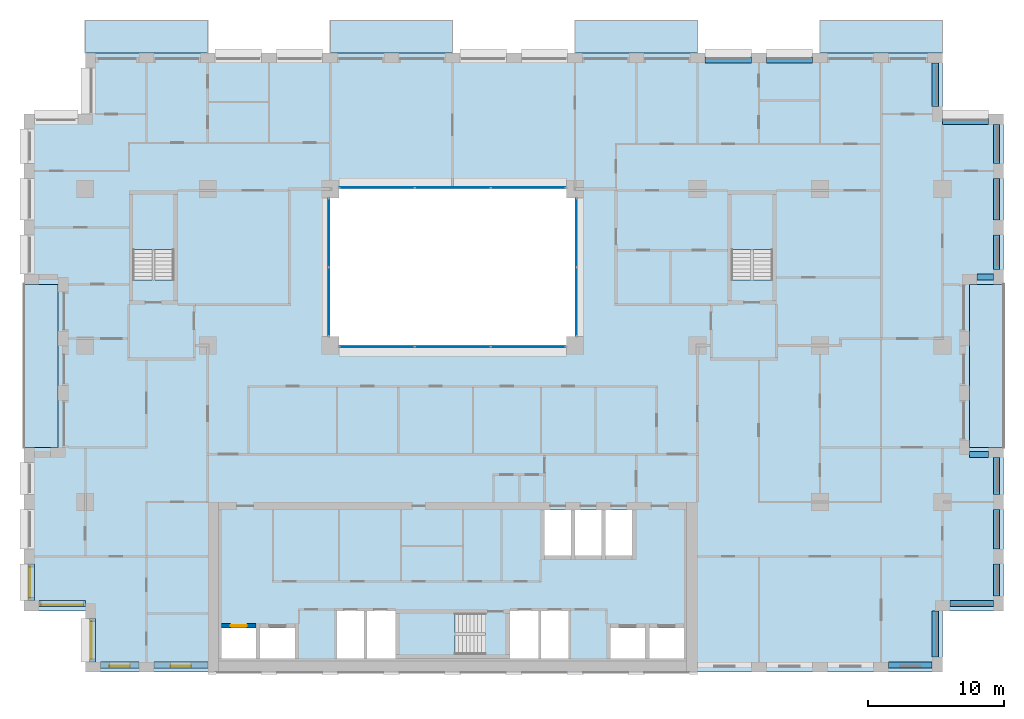
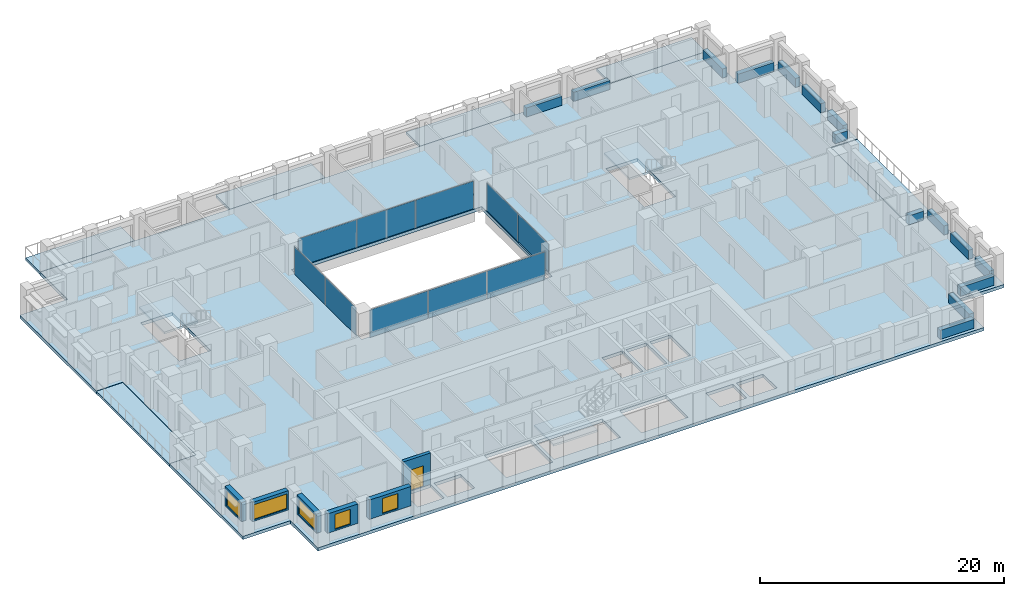
# One storey, part 7 of 16: 15 beams, 10 plates, 10 slabs, 6 walls, 5 windows, 1 door, 6 openings, 7 elements without a shape of their own.
"""IFC4 building model written with IfcOpenShell, lengths in metres."""

from ifc_helpers import new_model, si_unit, direction, frame, frame_2d, origin, origin_2d, place, context, subcontext, project, spatial, polyline, rectangle, outline, extrude, material, layer, layer_set, material_profile, profile_set, type_object, element, fill, aggregate, save


model = new_model("IFC4")

# Units and contexts
model_context = context("Model", 3, precision=1e-05, world=origin(), true_north=direction((0.0, 1.0)))
body_context = subcontext(model_context, "Body", "Model", "MODEL_VIEW")
ifc_project = project(units=[si_unit("LENGTHUNIT", "METRE"), si_unit("AREAUNIT", "SQUARE_METRE"), si_unit("VOLUMEUNIT", "CUBIC_METRE"), si_unit("PLANEANGLEUNIT", "RADIAN"), si_unit("MASSUNIT", "GRAM", prefix="KILO")], contexts=[model_context])

# Site, building, storey
site_placement = place(None, origin())
site = spatial("IfcSite", under=ifc_project, at=site_placement, CompositionType="ELEMENT")
building_placement = place(site_placement, origin())
building = spatial("IfcBuilding", under=site, at=building_placement, Name="Brigalow Station Residences", CompositionType="ELEMENT")
storey_placement = place(building_placement, frame((0.0, 0.0, 86.699951171875)))
storey = spatial("IfcBuildingStorey", under=building, at=storey_placement, Name="L24", CompositionType="ELEMENT", Elevation=86.699951171875)

# Beams
ifc_material_1 = material(Name="Concrete C65", Category="concrete")
ifc_material_profile = material_profile(ifc_material_1, rectangle(XDim=0.449951171875, YDim=0.89990234375, at=origin_2d()), Name="RC450x900")
ifc_profile_set = profile_set([ifc_material_profile], Name="Concrete C65")
beam_type = type_object("IfcBeamType", Name="SPANDREL BEAM 450x900 C65", PredefinedType="SPANDREL", material=ifc_profile_set)
beam_1_placement = place(storey_placement, frame((68.050048828125, 0.52490234375, 0.449951171875), z_axis=(1.0, 0.0, 0.0), x_axis=(0.0, 1.0, 0.0)))
element("IfcBeam", 1, at=beam_1_placement, inside=storey, type_object=beam_type, Name="L24/spandrel/W-L24-7", PredefinedType="SPANDREL", context=body_context, shape_type="SweptSolid", body=[
    extrude(rectangle(XDim=0.449951171875, YDim=0.89990234375, at=origin_2d()), origin(), (0.0, 0.0, 1.0), 3.199951171875),
])
beam_2_placement = place(storey_placement, frame((71.47509765625, 1.10009765625, 0.449951171875), z_axis=(0.0, 1.0, 0.0), x_axis=(-1.0, 0.0, 0.0)))
element("IfcBeam", 2, at=beam_2_placement, inside=storey, type_object=beam_type, Name="L24/spandrel/W-L24-8", PredefinedType="SPANDREL", context=body_context, shape_type="SweptSolid", body=[
    extrude(rectangle(XDim=0.449951171875, YDim=0.89990234375, at=origin_2d()), origin(), (0.0, 0.0, 1.0), 3.39990234375),
])
beam_3_placement = place(storey_placement, frame((72.550048828125, 5.02490234375, 0.449951171875), z_axis=(1.0, 0.0, 0.0), x_axis=(0.0, 1.0, 0.0)))
element("IfcBeam", 3, at=beam_3_placement, inside=storey, type_object=beam_type, Name="L24/spandrel/W-L24-9", PredefinedType="SPANDREL", context=body_context, shape_type="SweptSolid", body=[
    extrude(rectangle(XDim=0.449951171875, YDim=0.89990234375, at=origin_2d()), origin(), (0.0, 0.0, 1.0), 3.199951171875),
])
beam_4_placement = place(storey_placement, frame((75.97509765625, 5.60009765625, 0.449951171875), z_axis=(0.0, 1.0, 0.0), x_axis=(-1.0, 0.0, 0.0)))
element("IfcBeam", 4, at=beam_4_placement, inside=storey, type_object=beam_type, Name="L24/spandrel/W-L24-10", PredefinedType="SPANDREL", context=body_context, shape_type="SweptSolid", body=[
    extrude(rectangle(XDim=0.449951171875, YDim=0.89990234375, at=origin_2d()), origin(), (0.0, 0.0, 1.0), 2.349853515625),
])
beam_5_placement = place(storey_placement, frame((75.97509765625, 9.050048828125, 0.449951171875), z_axis=(0.0, 1.0, 0.0), x_axis=(-1.0, 0.0, 0.0)))
element("IfcBeam", 5, at=beam_5_placement, inside=storey, type_object=beam_type, Name="L24/spandrel/W-L24-11", PredefinedType="SPANDREL", context=body_context, shape_type="SweptSolid", body=[
    extrude(rectangle(XDim=0.449951171875, YDim=0.89990234375, at=origin_2d()), origin(), (0.0, 0.0, 1.0), 2.89990234375),
])
beam_6_placement = place(storey_placement, frame((75.97509765625, 13.050048828125, 0.449951171875), z_axis=(0.0, 1.0, 0.0), x_axis=(-1.0, 0.0, 0.0)))
element("IfcBeam", 6, at=beam_6_placement, inside=storey, type_object=beam_type, Name="L24/spandrel/W-L24-12", PredefinedType="SPANDREL", context=body_context, shape_type="SweptSolid", body=[
    extrude(rectangle(XDim=0.449951171875, YDim=0.89990234375, at=origin_2d()), origin(), (0.0, 0.0, 1.0), 2.699951171875),
])
beam_7_placement = place(storey_placement, frame((75.39990234375, 15.97509765625, 0.449951171875), z_axis=(-1.0, 0.0, 0.0), x_axis=(0.0, -1.0, 0.0)))
element("IfcBeam", 7, at=beam_7_placement, inside=storey, type_object=beam_type, Name="L24/spandrel/W-L24-13", PredefinedType="SPANDREL", context=body_context, shape_type="SweptSolid", body=[
    extrude(rectangle(XDim=0.449951171875, YDim=0.89990234375, at=origin_2d()), origin(), (0.0, 0.0, 1.0), 1.39990234375),
])
beam_8_placement = place(storey_placement, frame((74.550048828125, 29.02490234375, 0.449951171875), z_axis=(1.0, 0.0, 0.0), x_axis=(0.0, 1.0, 0.0)))
element("IfcBeam", 8, at=beam_8_placement, inside=storey, type_object=beam_type, Name="L24/spandrel/W-L24-17", PredefinedType="SPANDREL", context=body_context, shape_type="SweptSolid", body=[
    extrude(rectangle(XDim=0.449951171875, YDim=0.89990234375, at=origin_2d()), origin(), (0.0, 0.0, 1.0), 1.199951171875),
])
beam_9_placement = place(storey_placement, frame((75.97509765625, 29.60009765625, 0.449951171875), z_axis=(0.0, 1.0, 0.0), x_axis=(-1.0, 0.0, 0.0)))
element("IfcBeam", 9, at=beam_9_placement, inside=storey, type_object=beam_type, Name="L24/spandrel/W-L24-18", PredefinedType="SPANDREL", context=body_context, shape_type="SweptSolid", body=[
    extrude(rectangle(XDim=0.449951171875, YDim=0.89990234375, at=origin_2d()), origin(), (0.0, 0.0, 1.0), 2.516845703125),
])
beam_10_placement = place(storey_placement, frame((75.97509765625, 33.217041015625, 0.449951171875), z_axis=(0.0, 1.0, 0.0), x_axis=(-1.0, 0.0, 0.0)))
element("IfcBeam", 10, at=beam_10_placement, inside=storey, type_object=beam_type, Name="L24/spandrel/W-L24-19", PredefinedType="SPANDREL", context=body_context, shape_type="SweptSolid", body=[
    extrude(rectangle(XDim=0.449951171875, YDim=0.89990234375, at=origin_2d()), origin(), (0.0, 0.0, 1.0), 3.06591796875),
])
beam_11_placement = place(storey_placement, frame((75.97509765625, 37.383056640625, 0.449951171875), z_axis=(0.0, 1.0, 0.0), x_axis=(-1.0, 0.0, 0.0)))
element("IfcBeam", 11, at=beam_11_placement, inside=storey, type_object=beam_type, Name="L24/spandrel/W-L24-20", PredefinedType="SPANDREL", context=body_context, shape_type="SweptSolid", body=[
    extrude(rectangle(XDim=0.449951171875, YDim=0.89990234375, at=origin_2d()), origin(), (0.0, 0.0, 1.0), 2.866943359375),
])
beam_12_placement = place(storey_placement, frame((75.39990234375, 40.47509765625, 0.449951171875), z_axis=(-1.0, 0.0, 0.0), x_axis=(0.0, -1.0, 0.0)))
element("IfcBeam", 12, at=beam_12_placement, inside=storey, type_object=beam_type, Name="L24/spandrel/W-L24-21", PredefinedType="SPANDREL", context=body_context, shape_type="SweptSolid", body=[
    extrude(rectangle(XDim=0.449951171875, YDim=0.89990234375, at=origin_2d()), origin(), (0.0, 0.0, 1.0), 3.39990234375),
])
beam_13_placement = place(storey_placement, frame((71.47509765625, 41.550048828125, 0.449951171875), z_axis=(0.0, 1.0, 0.0), x_axis=(-1.0, 0.0, 0.0)))
element("IfcBeam", 13, at=beam_13_placement, inside=storey, type_object=beam_type, Name="L24/spandrel/W-L24-22", PredefinedType="SPANDREL", context=body_context, shape_type="SweptSolid", body=[
    extrude(rectangle(XDim=0.449951171875, YDim=0.89990234375, at=origin_2d()), origin(), (0.0, 0.0, 1.0), 3.199951171875),
])
for number, where, z_axis, x_axis, name in (
    (14, (62.449951171875, 44.97509765625, 0.449951171875), (-1.0, 0.0, 0.0), (0.0, -1.0, 0.0), "L24/spandrel/W-L24-25"),
    (15, (57.949951171875, 44.97509765625, 0.449951171875), (-1.0, 0.0, 0.0), (0.0, -1.0, 0.0), "L24/spandrel/W-L24-26"),
):
    element("IfcBeam", number, at=place(storey_placement, frame(where, z_axis=z_axis, x_axis=x_axis)), inside=storey, type_object=beam_type, Name=name, PredefinedType="SPANDREL", context=body_context, shape_type="SweptSolid", body=[
        extrude(rectangle(XDim=0.449951171875, YDim=0.89990234375, at=origin_2d()), origin(), (0.0, 0.0, 1.0), 3.39990234375),
    ])

# Curtain wall, plates
ifc_material_2 = material(Name="Aluminium", Category="aluminium")
ifc_layer_1 = layer(ifc_material_2, 0.14990234375)
ifc_layer_set_1 = layer_set([ifc_layer_1], Name="ATRIUM FIRE-RATED GLAZING CURTAIN WALL")
curtain_wall_type = type_object("IfcCurtainWallType", Name="ATRIUM FIRE-RATED GLAZING CURTAIN WALL", PredefinedType="NOTDEFINED", material=ifc_layer_set_1)
curtain_wall_1_placement = place(storey_placement, origin())
curtain_wall_1 = element("IfcCurtainWall", 16, at=curtain_wall_1_placement, inside=storey, type_object=curtain_wall_type, Name="L24/cw/atrium-S", PredefinedType="NOTDEFINED")
ifc_material_3 = material(Name="Fire-resisting laminated glazing, FRL -/60/-", Category="glass")
ifc_layer_2 = layer(ifc_material_3, 0.031982421875)
ifc_layer_set_2 = layer_set([ifc_layer_2], Name="ATRIUM FIRE-RATED GLAZING PANEL 32")
plate_type = type_object("IfcPlateType", Name="ATRIUM FIRE-RATED GLAZING PANEL 32", PredefinedType="CURTAIN_PANEL", material=ifc_layer_set_2)
plate_1_placement = place(storey_placement, frame((30.4482421875, 23.89990234375, 0.0), z_axis=(0.0, 0.0, 1.0), x_axis=(1.0, 0.0, 0.0)))
plate_1 = element("IfcPlate", 17, at=plate_1_placement, type_object=plate_type, Name="L24/cw/atrium-S/P00-00", PredefinedType="CURTAIN_PANEL", context=body_context, shape_type="SweptSolid", body=[
    extrude(rectangle(XDim=5.476806640625, YDim=0.031982421875, at=origin_2d()), origin(), (0.0, 0.0, 1.0), 2.77001953125),
])
plate_2_placement = place(storey_placement, frame((36.0, 23.89990234375, 0.0), z_axis=(0.0, 0.0, 1.0), x_axis=(1.0, 0.0, 0.0)))
plate_2 = element("IfcPlate", 18, at=plate_2_placement, type_object=plate_type, Name="L24/cw/atrium-S/P01-00", PredefinedType="CURTAIN_PANEL", context=body_context, shape_type="SweptSolid", body=[
    extrude(rectangle(XDim=5.506591796875, YDim=0.031982421875, at=origin_2d()), origin(), (0.0, 0.0, 1.0), 2.77001953125),
])
plate_3_placement = place(storey_placement, frame((41.5517578125, 23.89990234375, 0.0), z_axis=(0.0, 0.0, 1.0), x_axis=(1.0, 0.0, 0.0)))
plate_3 = element("IfcPlate", 19, at=plate_3_placement, type_object=plate_type, Name="L24/cw/atrium-S/P02-00", PredefinedType="CURTAIN_PANEL", context=body_context, shape_type="SweptSolid", body=[
    extrude(rectangle(XDim=5.476806640625, YDim=0.031982421875, at=origin_2d()), origin(), (0.0, 0.0, 1.0), 2.77001953125),
])
aggregate(curtain_wall_1, [plate_1, plate_2, plate_3])

curtain_wall_2_placement = place(storey_placement, origin())
curtain_wall_2 = element("IfcCurtainWall", 20, at=curtain_wall_2_placement, inside=storey, type_object=curtain_wall_type, Name="L24/cw/atrium-E", PredefinedType="NOTDEFINED")
plate_4_placement = place(storey_placement, frame((45.10009765625, 27.215087890625, 0.0), z_axis=(0.0, 0.0, 1.0), x_axis=(0.0, 1.0, 0.0)))
plate_4 = element("IfcPlate", 21, at=plate_4_placement, type_object=plate_type, Name="L24/cw/atrium-E/P00-00", PredefinedType="CURTAIN_PANEL", context=body_context, shape_type="SweptSolid", body=[
    extrude(rectangle(XDim=5.010009765625, YDim=0.031982421875, at=origin_2d()), origin(), (0.0, 0.0, 1.0), 2.77001953125),
])
plate_5_placement = place(storey_placement, frame((45.10009765625, 32.284912109375, 0.0), z_axis=(0.0, 0.0, 1.0), x_axis=(0.0, 1.0, 0.0)))
plate_5 = element("IfcPlate", 22, at=plate_5_placement, type_object=plate_type, Name="L24/cw/atrium-E/P01-00", PredefinedType="CURTAIN_PANEL", context=body_context, shape_type="SweptSolid", body=[
    extrude(rectangle(XDim=5.010009765625, YDim=0.031982421875, at=origin_2d()), origin(), (0.0, 0.0, 1.0), 2.77001953125),
])
aggregate(curtain_wall_2, [plate_4, plate_5])

curtain_wall_3_placement = place(storey_placement, origin())
curtain_wall_3 = element("IfcCurtainWall", 23, at=curtain_wall_3_placement, inside=storey, type_object=curtain_wall_type, Name="L24/cw/atrium-N", PredefinedType="NOTDEFINED")
plate_6_placement = place(storey_placement, frame((41.5517578125, 35.60009765625, 0.0), z_axis=(0.0, 0.0, 1.0), x_axis=(-1.0, 0.0, 0.0)))
plate_6 = element("IfcPlate", 24, at=plate_6_placement, type_object=plate_type, Name="L24/cw/atrium-N/P00-00", PredefinedType="CURTAIN_PANEL", context=body_context, shape_type="SweptSolid", body=[
    extrude(rectangle(XDim=5.476806640625, YDim=0.031982421875, at=origin_2d()), origin(), (0.0, 0.0, 1.0), 2.77001953125),
])
plate_7_placement = place(storey_placement, frame((36.0, 35.60009765625, 0.0), z_axis=(0.0, 0.0, 1.0), x_axis=(-1.0, 0.0, 0.0)))
plate_7 = element("IfcPlate", 25, at=plate_7_placement, type_object=plate_type, Name="L24/cw/atrium-N/P01-00", PredefinedType="CURTAIN_PANEL", context=body_context, shape_type="SweptSolid", body=[
    extrude(rectangle(XDim=5.506591796875, YDim=0.031982421875, at=origin_2d()), origin(), (0.0, 0.0, 1.0), 2.77001953125),
])
plate_8_placement = place(storey_placement, frame((30.4482421875, 35.60009765625, 0.0), z_axis=(0.0, 0.0, 1.0), x_axis=(-1.0, 0.0, 0.0)))
plate_8 = element("IfcPlate", 26, at=plate_8_placement, type_object=plate_type, Name="L24/cw/atrium-N/P02-00", PredefinedType="CURTAIN_PANEL", context=body_context, shape_type="SweptSolid", body=[
    extrude(rectangle(XDim=5.476806640625, YDim=0.031982421875, at=origin_2d()), origin(), (0.0, 0.0, 1.0), 2.77001953125),
])
aggregate(curtain_wall_3, [plate_6, plate_7, plate_8])

curtain_wall_4_placement = place(storey_placement, origin())
curtain_wall_4 = element("IfcCurtainWall", 27, at=curtain_wall_4_placement, inside=storey, type_object=curtain_wall_type, Name="L24/cw/atrium-W", PredefinedType="NOTDEFINED")
plate_9_placement = place(storey_placement, frame((26.89990234375, 32.284912109375, 0.0), z_axis=(0.0, 0.0, 1.0), x_axis=(0.0, -1.0, 0.0)))
plate_9 = element("IfcPlate", 28, at=plate_9_placement, type_object=plate_type, Name="L24/cw/atrium-W/P00-00", PredefinedType="CURTAIN_PANEL", context=body_context, shape_type="SweptSolid", body=[
    extrude(rectangle(XDim=5.010009765625, YDim=0.031982421875, at=origin_2d()), origin(), (0.0, 0.0, 1.0), 2.77001953125),
])
plate_10_placement = place(storey_placement, frame((26.89990234375, 27.215087890625, 0.0), z_axis=(0.0, 0.0, 1.0), x_axis=(0.0, -1.0, 0.0)))
plate_10 = element("IfcPlate", 29, at=plate_10_placement, type_object=plate_type, Name="L24/cw/atrium-W/P01-00", PredefinedType="CURTAIN_PANEL", context=body_context, shape_type="SweptSolid", body=[
    extrude(rectangle(XDim=5.010009765625, YDim=0.031982421875, at=origin_2d()), origin(), (0.0, 0.0, 1.0), 2.77001953125),
])
aggregate(curtain_wall_4, [plate_9, plate_10])

# Slabs
ifc_material_4 = material(Name="Concrete C50 precast", Category="concrete")
ifc_layer_3 = layer(ifc_material_4, 0.25)
ifc_layer_set_3 = layer_set([ifc_layer_3], Name="BALCONY SLAB 250")
slab_type_1 = type_object("IfcSlabType", Name="BALCONY SLAB 250", PredefinedType="USERDEFINED", material=ifc_layer_set_3)
slab_1_placement = place(storey_placement, frame((0.0, 0.0, -0.2900390625)))
element("IfcSlab", 30, at=slab_1_placement, inside=storey, type_object=slab_type_1, Name="L24/balcony/1", ObjectType="BALCONY", PredefinedType="USERDEFINED", context=body_context, shape_type="SweptSolid", body=[
    extrude(outline(polyline([(74.0, 16.5), (76.5, 16.5), (76.5, 28.5), (74.0, 28.5), (74.0, 16.5)])), origin(), (0.0, 0.0, 1.0), 0.25),
])
slab_2_placement = place(storey_placement, frame((0.0, 0.0, -0.2900390625)))
element("IfcSlab", 31, at=slab_2_placement, inside=storey, type_object=slab_type_1, Name="L24/balcony/2", ObjectType="BALCONY", PredefinedType="USERDEFINED", context=body_context, shape_type="SweptSolid", body=[
    extrude(outline(polyline([(72.0, 45.5), (72.0, 47.89990234375), (63.0, 47.89990234375), (63.0, 45.5), (72.0, 45.5)])), origin(), (0.0, 0.0, 1.0), 0.25),
])
slab_3_placement = place(storey_placement, frame((0.0, 0.0, -0.2900390625)))
element("IfcSlab", 32, at=slab_3_placement, inside=storey, type_object=slab_type_1, Name="L24/balcony/3", ObjectType="BALCONY", PredefinedType="USERDEFINED", context=body_context, shape_type="SweptSolid", body=[
    extrude(outline(polyline([(54.0, 45.5), (54.0, 47.89990234375), (45.0, 47.89990234375), (45.0, 45.5), (54.0, 45.5)])), origin(), (0.0, 0.0, 1.0), 0.25),
])
slab_4_placement = place(storey_placement, frame((0.0, 0.0, -0.2900390625)))
element("IfcSlab", 33, at=slab_4_placement, inside=storey, type_object=slab_type_1, Name="L24/balcony/4", ObjectType="BALCONY", PredefinedType="USERDEFINED", context=body_context, shape_type="SweptSolid", body=[
    extrude(outline(polyline([(36.0, 45.5), (36.0, 47.89990234375), (27.0, 47.89990234375), (27.0, 45.5), (36.0, 45.5)])), origin(), (0.0, 0.0, 1.0), 0.25),
])
slab_5_placement = place(storey_placement, frame((0.0, 0.0, -0.2900390625)))
element("IfcSlab", 34, at=slab_5_placement, inside=storey, type_object=slab_type_1, Name="L24/balcony/5", ObjectType="BALCONY", PredefinedType="USERDEFINED", context=body_context, shape_type="SweptSolid", body=[
    extrude(outline(polyline([(18.0, 45.5), (18.0, 47.89990234375), (9.0, 47.89990234375), (9.0, 45.5), (18.0, 45.5)])), origin(), (0.0, 0.0, 1.0), 0.25),
])
slab_6_placement = place(storey_placement, frame((0.0, 0.0, -0.2900390625)))
element("IfcSlab", 35, at=slab_6_placement, inside=storey, type_object=slab_type_1, Name="L24/balcony/6", ObjectType="BALCONY", PredefinedType="USERDEFINED", context=body_context, shape_type="SweptSolid", body=[
    extrude(outline(polyline([(7.0, 28.5), (4.5, 28.5), (4.5, 16.5), (7.0, 16.5), (7.0, 28.5)])), origin(), (0.0, 0.0, 1.0), 0.25),
])
ifc_material_5 = material(Name="Concrete C50", Category="concrete")
ifc_layer_4 = layer(ifc_material_5, 0.320068359375)
ifc_layer_set_4 = layer_set([ifc_layer_4], Name="POST-TENSIONED FLAT PLATE 320 C50")
slab_type_2 = type_object("IfcSlabType", Name="POST-TENSIONED FLAT PLATE 320 C50", PredefinedType="FLOOR", material=ifc_layer_set_4)
slab_7_placement = place(storey_placement, frame((0.0, 0.0, -0.320068359375)))
element("IfcSlab", 36, at=slab_7_placement, inside=storey, type_object=slab_type_2, Name="FLOOR SLAB L24", PredefinedType="FLOOR", context=body_context, shape_type="SweptSolid", body=[
    extrude(outline(polyline([(9.0, 0.0), (72.0, 0.0), (72.0, 4.5), (76.5, 4.5), (76.5, 16.5), (74.0, 16.5), (74.0, 28.5), (76.5, 28.5), (76.5, 41.0), (72.0, 41.0), (72.0, 45.5), (9.0, 45.5), (9.0, 41.0), (4.5, 41.0), (4.5, 28.5), (7.0, 28.5), (7.0, 16.5), (4.5, 16.5), (4.5, 4.5), (9.0, 4.5), (9.0, 0.0)]), holes=[polyline([(12.5048828125, 35.094970703125), (15.4951171875, 35.094970703125), (15.4951171875, 28.804931640625), (12.5048828125, 28.804931640625), (12.5048828125, 35.094970703125)]), polyline([(19.0, 1.0), (19.0, 3.25), (21.550048828125, 3.25), (21.550048828125, 1.0), (19.0, 1.0)]), polyline([(21.85009765625, 3.25), (24.39990234375, 3.25), (24.39990234375, 1.0), (21.85009765625, 1.0), (21.85009765625, 3.25)]), polyline([(27.0, 35.5), (45.0, 35.5), (45.0, 24.0), (27.0, 24.0), (27.0, 35.5)]), polyline([(29.60009765625, 4.60009765625), (31.800048828125, 4.60009765625), (31.800048828125, 1.0), (29.60009765625, 1.0), (27.39990234375, 1.0), (27.39990234375, 4.60009765625), (29.60009765625, 4.60009765625)]), polyline([(32.10498046875, 4.294921875), (38.39501953125, 4.294921875), (38.39501953125, 1.304931640625), (32.10498046875, 1.304931640625), (32.10498046875, 4.294921875)]), polyline([(40.199951171875, 4.60009765625), (42.39990234375, 4.60009765625), (44.60009765625, 4.60009765625), (44.60009765625, 1.0), (42.39990234375, 1.0), (40.199951171875, 1.0), (40.199951171875, 4.60009765625)]), polyline([(42.75, 11.89990234375), (44.699951171875, 11.89990234375), (44.699951171875, 8.550048828125), (42.75, 8.550048828125), (42.75, 11.89990234375)]), polyline([(45.0, 11.89990234375), (46.949951171875, 11.89990234375), (46.949951171875, 8.550048828125), (45.0, 8.550048828125), (45.0, 11.89990234375)]), polyline([(47.25, 11.89990234375), (49.199951171875, 11.89990234375), (49.199951171875, 8.550048828125), (47.25, 8.550048828125), (47.25, 11.89990234375)]), polyline([(47.60009765625, 3.25), (50.14990234375, 3.25), (50.14990234375, 1.0), (47.60009765625, 1.0), (47.60009765625, 3.25)]), polyline([(50.449951171875, 3.25), (53.0, 3.25), (53.0, 1.0), (50.449951171875, 1.0), (50.449951171875, 3.25)]), polyline([(56.5048828125, 35.094970703125), (59.4951171875, 35.094970703125), (59.4951171875, 28.804931640625), (56.5048828125, 28.804931640625), (56.5048828125, 35.094970703125)])]), origin(), (0.0, 0.0, 1.0), 0.320068359375),
])

# Stair, slab
ifc_material_6 = material(Name="Concrete C50", Category="concrete")
stair_type = type_object("IfcStairType", Name="EXIT STAIR 1400 2 FLIGHT", PredefinedType="HALF_TURN_STAIR", material=ifc_material_6)
stair_1_placement = place(storey_placement, origin())
stair_1 = element("IfcStair", 37, at=stair_1_placement, inside=storey, type_object=stair_type, Name="EXIT STAIR S2 L24", PredefinedType="HALF_TURN_STAIR")
ifc_material_7 = material(Name="Concrete C50", Category="concrete")
ifc_layer_5 = layer(ifc_material_7, 0.199951171875)
ifc_layer_set_5 = layer_set([ifc_layer_5], Name="STAIR LANDING 200")
slab_type_3 = type_object("IfcSlabType", Name="STAIR LANDING 200", PredefinedType="LANDING", material=ifc_layer_set_5)
slab_8_placement = place(storey_placement, frame((0.0, 0.0, 1.375)))
slab_8 = element("IfcSlab", 38, at=slab_8_placement, type_object=slab_type_3, Name="ST-2 landing 1", PredefinedType="LANDING", context=body_context, shape_type="SweptSolid", body=[
    extrude(outline(polyline([(32.0, 1.199951171875), (36.159912109375, 1.199951171875), (36.159912109375, 4.39990234375), (32.0, 4.39990234375), (32.0, 1.199951171875)])), origin(), (0.0, 0.0, 1.0), 0.199951171875),
])
aggregate(stair_1, [slab_8])

stair_2_placement = place(storey_placement, origin())
stair_2 = element("IfcStair", 39, at=stair_2_placement, inside=storey, type_object=stair_type, Name="EXIT STAIR S1 L24", PredefinedType="HALF_TURN_STAIR")
slab_9_placement = place(storey_placement, frame((0.0, 0.0, 1.375)))
slab_9 = element("IfcSlab", 40, at=slab_9_placement, type_object=slab_type_3, Name="ST-1 landing 1", PredefinedType="LANDING", context=body_context, shape_type="SweptSolid", body=[
    extrude(outline(polyline([(12.39990234375, 31.0400390625), (15.60009765625, 31.0400390625), (15.60009765625, 35.199951171875), (12.39990234375, 35.199951171875), (12.39990234375, 31.0400390625)])), origin(), (0.0, 0.0, 1.0), 0.199951171875),
])
aggregate(stair_2, [slab_9])

stair_3_placement = place(storey_placement, origin())
stair_3 = element("IfcStair", 41, at=stair_3_placement, inside=storey, type_object=stair_type, Name="EXIT STAIR S3 L24", PredefinedType="HALF_TURN_STAIR")
slab_10_placement = place(storey_placement, frame((0.0, 0.0, 1.375)))
slab_10 = element("IfcSlab", 42, at=slab_10_placement, type_object=slab_type_3, Name="ST-3 landing 1", PredefinedType="LANDING", context=body_context, shape_type="SweptSolid", body=[
    extrude(outline(polyline([(56.39990234375, 31.0400390625), (59.60009765625, 31.0400390625), (59.60009765625, 35.199951171875), (56.39990234375, 35.199951171875), (56.39990234375, 31.0400390625)])), origin(), (0.0, 0.0, 1.0), 0.199951171875),
])
aggregate(stair_3, [slab_10])

# Wall, opening, window
ifc_material_8 = material(Name="Clay brick masonry", Category="masonry")
ifc_layer_6 = layer(ifc_material_8, 0.449951171875)
ifc_layer_set_6 = layer_set([ifc_layer_6], Name="BRICK INFILL WALL 450")
wall_type_1 = type_object("IfcWallType", Name="BRICK INFILL WALL 450", PredefinedType="SOLIDWALL", material=ifc_layer_set_6)
wall_1_placement = place(storey_placement, frame((10.10009765625, 0.52490234375, 0.900146484375), z_axis=(0.0, 0.0, 1.0), x_axis=(1.0, 0.0, 0.0)))
wall_1 = element("IfcWall", 43, at=wall_1_placement, inside=storey, type_object=wall_type_1, Name="L24/ewall/W-L24-1", PredefinedType="SOLIDWALL", context=body_context, shape_type="SweptSolid", body=[
    extrude(rectangle(XDim=2.849853515625, YDim=0.449951171875, at=frame_2d((1.4248046875, 0.0))), origin(), (0.0, 0.0, 1.0), 1.929931640625),
])
opening_1_placement = place(wall_1_placement, frame((0.675048828125, 0.0, 0.14990234375)))
opening_1 = element("IfcOpeningElement", 44, at=opening_1_placement, cuts=wall_1, Name="Opening WT-1", PredefinedType="OPENING", context=body_context, shape_type="SweptSolid", body=[
    extrude(rectangle(XDim=1.5, YDim=1.5, at=frame_2d((0.75, 0.75))), frame((0.0, 0.23486328125, 0.0), z_axis=(0.0, -1.0, 0.0), x_axis=(1.0, 0.0, 0.0)), (0.0, 0.0, 1.0), 0.469970703125),
])
ifc_material_9 = material(Name="Anodised aluminium frame with double glazing", Category="aluminium")
window_type_1 = type_object("IfcWindowType", Name="WINDOW 1500x1500", PartitioningType="SINGLE_PANEL", PredefinedType="WINDOW", material=ifc_material_9)
window_1_placement = place(opening_1_placement, origin())
window_1 = element("IfcWindow", 45, at=window_1_placement, inside=storey, type_object=window_type_1, Name="L24/window/W-L24-1", OverallHeight=1.5, OverallWidth=1.5, PartitioningType="SINGLE_PANEL", PredefinedType="WINDOW", context=body_context, shape_type="SweptSolid", body=[
    extrude(rectangle(XDim=1.5, YDim=1.5, at=frame_2d((0.75, 0.75))), frame((0.0, -0.06494140625, 0.0), z_axis=(0.0, -1.0, 0.0), x_axis=(1.0, 0.0, 0.0)), (0.0, 0.0, 1.0), 0.06005859375),
])
fill(opening_1, window_1)

wall_2_placement = place(storey_placement, frame((14.050048828125, 0.52490234375, 0.900146484375), z_axis=(0.0, 0.0, 1.0), x_axis=(1.0, 0.0, 0.0)))
wall_2 = element("IfcWall", 46, at=wall_2_placement, inside=storey, type_object=wall_type_1, Name="L24/ewall/W-L24-2", PredefinedType="SOLIDWALL", context=body_context, shape_type="SweptSolid", body=[
    extrude(rectangle(XDim=3.949951171875, YDim=0.449951171875, at=frame_2d((1.97509765625, 0.0))), origin(), (0.0, 0.0, 1.0), 1.929931640625),
])
opening_2_placement = place(wall_2_placement, frame((1.22509765625, 0.0, 0.14990234375)))
opening_2 = element("IfcOpeningElement", 47, at=opening_2_placement, cuts=wall_2, Name="Opening WT-1", PredefinedType="OPENING", context=body_context, shape_type="SweptSolid", body=[
    extrude(rectangle(XDim=1.5, YDim=1.5, at=frame_2d((0.75, 0.75))), frame((0.0, 0.23486328125, 0.0), z_axis=(0.0, -1.0, 0.0), x_axis=(1.0, 0.0, 0.0)), (0.0, 0.0, 1.0), 0.469970703125),
])
window_2_placement = place(opening_2_placement, origin())
window_2 = element("IfcWindow", 48, at=window_2_placement, inside=storey, type_object=window_type_1, Name="L24/window/W-L24-2", OverallHeight=1.5, OverallWidth=1.5, PartitioningType="SINGLE_PANEL", PredefinedType="WINDOW", context=body_context, shape_type="SweptSolid", body=[
    extrude(rectangle(XDim=1.5, YDim=1.5, at=frame_2d((0.75, 0.75))), frame((0.0, -0.06494140625, 0.0), z_axis=(0.0, -1.0, 0.0), x_axis=(1.0, 0.0, 0.0)), (0.0, 0.0, 1.0), 0.06005859375),
])
fill(opening_2, window_2)

wall_3_placement = place(storey_placement, frame((5.02490234375, 7.949951171875, 0.900146484375), z_axis=(0.0, 0.0, 1.0), x_axis=(0.0, -1.0, 0.0)))
wall_3 = element("IfcWall", 49, at=wall_3_placement, inside=storey, type_object=wall_type_1, Name="L24/ewall/W-L24-49", PredefinedType="SOLIDWALL", context=body_context, shape_type="SweptSolid", body=[
    extrude(rectangle(XDim=2.699951171875, YDim=0.449951171875, at=frame_2d((1.35009765625, 0.0))), origin(), (0.0, 0.0, 1.0), 1.929931640625),
])
opening_3_placement = place(wall_3_placement, frame((0.22509765625, 0.0, 0.14990234375)))
opening_3 = element("IfcOpeningElement", 50, at=opening_3_placement, cuts=wall_3, Name="Opening WT-6", PredefinedType="OPENING", context=body_context, shape_type="SweptSolid", body=[
    extrude(rectangle(XDim=2.25, YDim=1.5, at=frame_2d((1.125, 0.75))), frame((0.0, 0.23486328125, 0.0), z_axis=(0.0, -1.0, 0.0), x_axis=(1.0, 0.0, 0.0)), (0.0, 0.0, 1.0), 0.469970703125),
])
ifc_material_10 = material(Name="Anodised aluminium frame with double glazing", Category="aluminium")
window_type_2 = type_object("IfcWindowType", Name="WINDOW 2250x1500", PartitioningType="SINGLE_PANEL", PredefinedType="WINDOW", material=ifc_material_10)
window_3_placement = place(opening_3_placement, origin())
window_3 = element("IfcWindow", 51, at=window_3_placement, inside=storey, type_object=window_type_2, Name="L24/window/W-L24-49", OverallHeight=1.5, OverallWidth=2.25, PartitioningType="SINGLE_PANEL", PredefinedType="WINDOW", context=body_context, shape_type="SweptSolid", body=[
    extrude(rectangle(XDim=2.25, YDim=1.5, at=frame_2d((1.125, 0.75))), frame((0.0, -0.06494140625, 0.0), z_axis=(0.0, -1.0, 0.0), x_axis=(1.0, 0.0, 0.0)), (0.0, 0.0, 1.0), 0.06005859375),
])
fill(opening_3, window_3)

wall_4_placement = place(storey_placement, frame((5.60009765625, 5.02490234375, 0.900146484375), z_axis=(0.0, 0.0, 1.0), x_axis=(1.0, 0.0, 0.0)))
wall_4 = element("IfcWall", 52, at=wall_4_placement, inside=storey, type_object=wall_type_1, Name="L24/ewall/W-L24-50", PredefinedType="SOLIDWALL", context=body_context, shape_type="SweptSolid", body=[
    extrude(rectangle(XDim=3.39990234375, YDim=0.449951171875, at=frame_2d((1.699951171875, 0.0))), origin(), (0.0, 0.0, 1.0), 1.929931640625),
])
opening_4_placement = place(wall_4_placement, frame((0.14990234375, 0.0, 0.14990234375)))
opening_4 = element("IfcOpeningElement", 53, at=opening_4_placement, cuts=wall_4, Name="Opening WT-8", PredefinedType="OPENING", context=body_context, shape_type="SweptSolid", body=[
    extrude(rectangle(XDim=3.10009765625, YDim=1.5, at=frame_2d((1.550048828125, 0.75))), frame((0.0, 0.23486328125, 0.0), z_axis=(0.0, -1.0, 0.0), x_axis=(1.0, 0.0, 0.0)), (0.0, 0.0, 1.0), 0.469970703125),
])
ifc_material_11 = material(Name="Anodised aluminium frame with double glazing", Category="aluminium")
window_type_3 = type_object("IfcWindowType", Name="WINDOW 3100x1500", PartitioningType="SINGLE_PANEL", PredefinedType="WINDOW", material=ifc_material_11)
window_4_placement = place(opening_4_placement, origin())
window_4 = element("IfcWindow", 54, at=window_4_placement, inside=storey, type_object=window_type_3, Name="L24/window/W-L24-50", OverallHeight=1.5, OverallWidth=3.10009765625, PartitioningType="SINGLE_PANEL", PredefinedType="WINDOW", context=body_context, shape_type="SweptSolid", body=[
    extrude(rectangle(XDim=3.10009765625, YDim=1.5, at=frame_2d((1.550048828125, 0.75))), frame((0.0, -0.06494140625, 0.0), z_axis=(0.0, -1.0, 0.0), x_axis=(1.0, 0.0, 0.0)), (0.0, 0.0, 1.0), 0.06005859375),
])
fill(opening_4, window_4)

wall_5_placement = place(storey_placement, frame((9.52490234375, 3.949951171875, 0.900146484375), z_axis=(0.0, 0.0, 1.0), x_axis=(0.0, -1.0, 0.0)))
wall_5 = element("IfcWall", 55, at=wall_5_placement, inside=storey, type_object=wall_type_1, Name="L24/ewall/W-L24-51", PredefinedType="SOLIDWALL", context=body_context, shape_type="SweptSolid", body=[
    extrude(rectangle(XDim=3.199951171875, YDim=0.449951171875, at=frame_2d((1.60009765625, 0.0))), origin(), (0.0, 0.0, 1.0), 1.929931640625),
])
opening_5_placement = place(wall_5_placement, frame((0.22509765625, 0.0, 0.14990234375)))
opening_5 = element("IfcOpeningElement", 56, at=opening_5_placement, cuts=wall_5, Name="Opening WT-3", PredefinedType="OPENING", context=body_context, shape_type="SweptSolid", body=[
    extrude(rectangle(XDim=2.75, YDim=1.5, at=frame_2d((1.375, 0.75))), frame((0.0, 0.23486328125, 0.0), z_axis=(0.0, -1.0, 0.0), x_axis=(1.0, 0.0, 0.0)), (0.0, 0.0, 1.0), 0.469970703125),
])
ifc_material_12 = material(Name="Anodised aluminium frame with double glazing", Category="aluminium")
window_type_4 = type_object("IfcWindowType", Name="WINDOW 2750x1500", PartitioningType="SINGLE_PANEL", PredefinedType="WINDOW", material=ifc_material_12)
window_5_placement = place(opening_5_placement, origin())
window_5 = element("IfcWindow", 57, at=window_5_placement, inside=storey, type_object=window_type_4, Name="L24/window/W-L24-51", OverallHeight=1.5, OverallWidth=2.75, PartitioningType="SINGLE_PANEL", PredefinedType="WINDOW", context=body_context, shape_type="SweptSolid", body=[
    extrude(rectangle(XDim=2.75, YDim=1.5, at=frame_2d((1.375, 0.75))), frame((0.0, -0.06494140625, 0.0), z_axis=(0.0, -1.0, 0.0), x_axis=(1.0, 0.0, 0.0)), (0.0, 0.0, 1.0), 0.06005859375),
])
fill(opening_5, window_5)

# Wall, opening, door
ifc_material_13 = material(Name="Concrete C65", Category="concrete")
ifc_layer_7 = layer(ifc_material_13, 0.300048828125)
ifc_layer_set_7 = layer_set([ifc_layer_7], Name="CORE SHEAR WALL 300 C65")
wall_type_2 = type_object("IfcWallType", Name="CORE SHEAR WALL 300 C65", PredefinedType="SHEAR", material=ifc_layer_set_7)
wall_6_placement = place(storey_placement, frame((19.0, 3.39990234375, 0.0), z_axis=(0.0, 0.0, 1.0), x_axis=(1.0, 0.0, 0.0)))
wall_6 = element("IfcWall", 58, at=wall_6_placement, inside=storey, type_object=wall_type_2, Name="CORE WALL SH-C1-N L24", PredefinedType="SHEAR", context=body_context, shape_type="SweptSolid", body=[
    extrude(rectangle(XDim=2.550048828125, YDim=0.300048828125, at=frame_2d((1.27490234375, 0.0))), origin(), (0.0, 0.0, 1.0), 3.150146484375),
])
opening_6_placement = place(wall_6_placement, frame((0.675048828125, 0.0, 0.0)))
opening_6 = element("IfcOpeningElement", 59, at=opening_6_placement, cuts=wall_6, Name="Opening LD-LB1", PredefinedType="OPENING", context=body_context, shape_type="SweptSolid", body=[
    extrude(rectangle(XDim=1.199951171875, YDim=2.10009765625, at=frame_2d((0.60009765625, 1.050048828125))), frame((0.0, 0.16015625, 0.0), z_axis=(0.0, -1.0, 0.0), x_axis=(1.0, 0.0, 0.0)), (0.0, 0.0, 1.0), 0.320068359375),
])
ifc_material_14 = material(Name="Stainless steel sliding door leaves", Category="steel")
door_type = type_object("IfcDoorType", Name="LIFT LANDING DOOR 1200 x 2100", OperationType="DOUBLE_DOOR_SLIDING", PredefinedType="DOOR", material=ifc_material_14)
door_placement = place(opening_6_placement, origin())
door = element("IfcDoor", 60, at=door_placement, inside=storey, type_object=door_type, Name="LANDING DOOR LB1", OperationType="DOUBLE_DOOR_SLIDING", OverallHeight=2.10009765625, OverallWidth=1.199951171875, PredefinedType="DOOR", context=body_context, shape_type="SweptSolid", body=[
    extrude(rectangle(XDim=1.199951171875, YDim=2.10009765625, at=frame_2d((0.60009765625, 1.050048828125))), frame((0.0, 0.02490234375, 0.0), z_axis=(0.0, -1.0, 0.0), x_axis=(1.0, 0.0, 0.0)), (0.0, 0.0, 1.0), 0.050048828125),
])
fill(opening_6, door)

save(model, "model.ifc")
